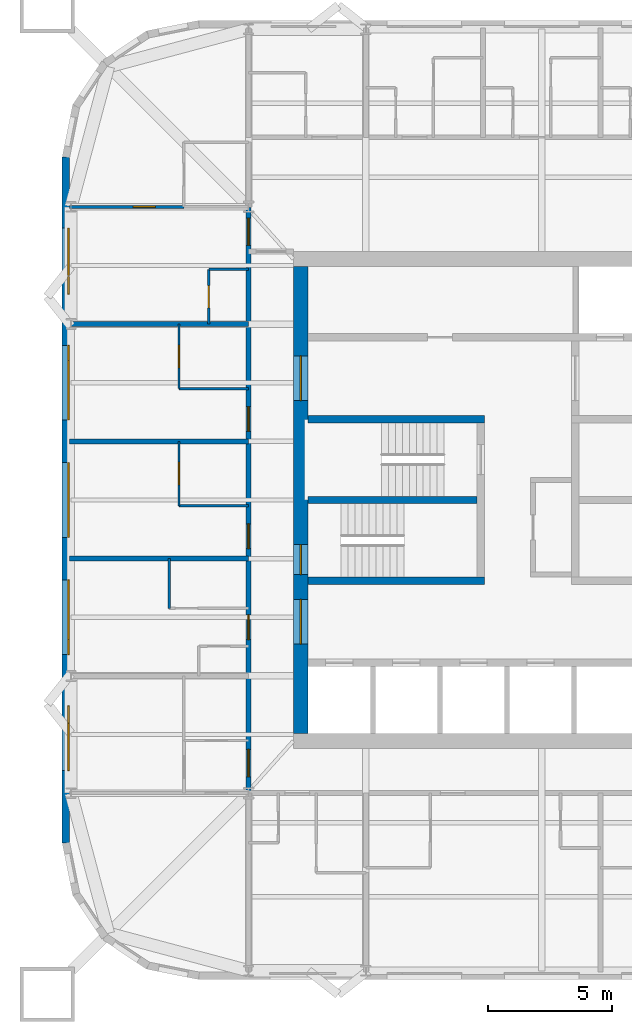
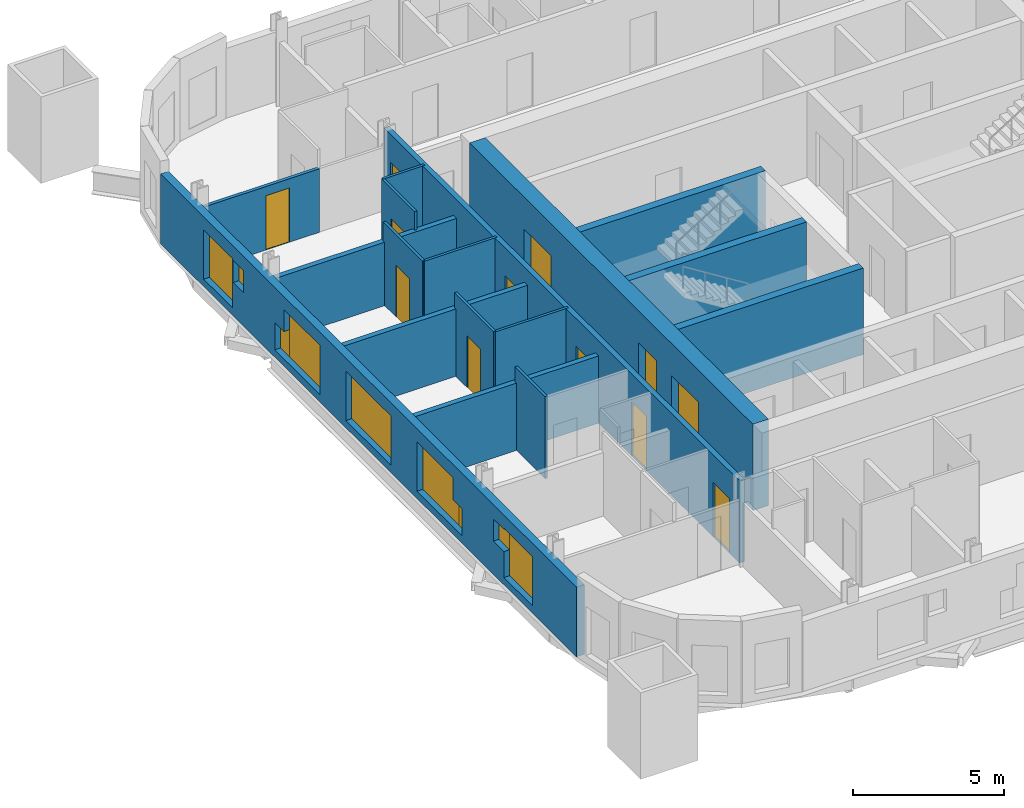
# One storey, part 4 of 10: 17 walls, 12 doors, 9 windows, 21 openings.
"""IFC4 building model written with IfcOpenShell, lengths in metres."""

from ifc_helpers import new_model, si_unit, direction, frame, frame_2d, origin, place, context, subcontext, project, spatial, rectangle, extrude, material, layer, layer_set, type_object, element, fill, save


model = new_model("IFC4")

# Units and contexts
model_context = context("Model", 3, precision=1e-05, world=origin(), true_north=direction((0.0, 1.0)))
body_context = subcontext(model_context, "Body", "Model", "MODEL_VIEW")
ifc_project = project(units=[si_unit("LENGTHUNIT", "METRE"), si_unit("AREAUNIT", "SQUARE_METRE"), si_unit("VOLUMEUNIT", "CUBIC_METRE"), si_unit("PLANEANGLEUNIT", "RADIAN"), si_unit("MASSUNIT", "GRAM", prefix="KILO")], contexts=[model_context])

# Site, building, storey
site_placement = place(None, origin())
site = spatial("IfcSite", under=ifc_project, at=site_placement, CompositionType="ELEMENT")
building_placement = place(site_placement, origin())
building = spatial("IfcBuilding", under=site, at=building_placement, Name="Turquesa Mirador Hotel Tower", CompositionType="ELEMENT")
storey_placement = place(building_placement, frame((0.0, 0.0, 179.300048828125)))
storey = spatial("IfcBuildingStorey", under=building, at=storey_placement, Name="L48", CompositionType="ELEMENT", Elevation=179.300048828125)

# Walls
ifc_material_1 = material(Name="Gypsum board on steel studs", Category="steel")
ifc_layer_1 = layer(ifc_material_1, 0.10009765625)
ifc_layer_set_1 = layer_set([ifc_layer_1], Name="BATHROOM WALL 100")
wall_type_1 = type_object("IfcWallType", Name="BATHROOM WALL 100", PredefinedType="PARTITIONING", material=ifc_layer_set_1)
for number, where, z_axis, x_axis, name in (
    (1, (40.39990234375, 44.760009765625, 0.0), (0.0, 0.0, 1.0), (1.0, 0.0, 0.0), "Partition L48 001"),
    (2, (40.39990234375, 49.47998046875, 0.0), (0.0, 0.0, 1.0), (1.0, 0.0, 0.0), "Partition L48 042"),
):
    element("IfcWall", number, at=place(storey_placement, frame(where, z_axis=z_axis, x_axis=x_axis)), inside=storey, type_object=wall_type_1, Name=name, PredefinedType="PARTITIONING", context=body_context, shape_type="SweptSolid", body=[
        extrude(rectangle(XDim=2.800048828125, YDim=0.10009765625, at=frame_2d((1.39990234375, 0.0))), origin(), (0.0, 0.0, 1.0), 3.329833984375),
    ])
wall_1_placement = place(storey_placement, frame((41.60009765625, 54.280029296875, 0.0), z_axis=(0.0, 0.0, 1.0), x_axis=(1.0, 0.0, 0.0)))
element("IfcWall", 3, at=wall_1_placement, inside=storey, type_object=wall_type_1, Name="Partition L48 046", PredefinedType="PARTITIONING", context=body_context, shape_type="SweptSolid", body=[
    extrude(rectangle(XDim=1.599853515625, YDim=0.10009765625, at=frame_2d((0.7998046875, 0.0))), origin(), (0.0, 0.0, 1.0), 3.329833984375),
])

# Wall, opening, door
wall_2_placement = place(storey_placement, frame((41.60009765625, 52.080078125, 0.0), z_axis=(0.0, 0.0, 1.0), x_axis=(0.0, 1.0, 0.0)))
wall_2 = element("IfcWall", 4, at=wall_2_placement, inside=storey, type_object=wall_type_1, Name="Partition L48 053", PredefinedType="PARTITIONING", context=body_context, shape_type="SweptSolid", body=[
    extrude(rectangle(XDim=2.199951171875, YDim=0.10009765625, at=frame_2d((1.10009765625, 0.0))), origin(), (0.0, 0.0, 1.0), 3.329833984375),
])
opening_1_placement = place(wall_2_placement, frame((0.64990234375, 0.0, 0.0)))
opening_1 = element("IfcOpeningElement", 5, at=opening_1_placement, cuts=wall_2, Name="Opening D06", PredefinedType="OPENING", context=body_context, shape_type="SweptSolid", body=[
    extrude(rectangle(XDim=0.89990234375, YDim=2.10009765625, at=frame_2d((0.449951171875, 1.050048828125))), frame((0.0, 0.06005859375, 0.0), z_axis=(0.0, -1.0, 0.0), x_axis=(1.0, 0.0, 0.0)), (0.0, 0.0, 1.0), 0.1201171875),
])
ifc_material_2 = material(Name="Laminate door", Category="wood")
door_type_1 = type_object("IfcDoorType", Name="DOOR 900X2100 WC", OperationType="SINGLE_SWING_LEFT", PredefinedType="DOOR", material=ifc_material_2)
door_1_placement = place(opening_1_placement, origin())
door_1 = element("IfcDoor", 6, at=door_1_placement, inside=storey, type_object=door_type_1, Name="Door 4816W", OperationType="SINGLE_SWING_LEFT", OverallHeight=2.10009765625, OverallWidth=0.89990234375, PredefinedType="DOOR", context=body_context, shape_type="SweptSolid", body=[
    extrude(rectangle(XDim=0.89990234375, YDim=2.10009765625, at=frame_2d((0.449951171875, 1.050048828125))), frame((0.0, 0.02490234375, 0.0), z_axis=(0.0, -1.0, 0.0), x_axis=(1.0, 0.0, 0.0)), (0.0, 0.0, 1.0), 0.050048828125),
])
fill(opening_1, door_1)

wall_3_placement = place(storey_placement, frame((40.39990234375, 44.760009765625, 0.0), z_axis=(0.0, 0.0, 1.0), x_axis=(0.0, 1.0, 0.0)))
wall_3 = element("IfcWall", 7, at=wall_3_placement, inside=storey, type_object=wall_type_1, Name="Partition L48 058", PredefinedType="PARTITIONING", context=body_context, shape_type="SweptSolid", body=[
    extrude(rectangle(XDim=2.60009765625, YDim=0.10009765625, at=frame_2d((1.300048828125, 0.0))), origin(), (0.0, 0.0, 1.0), 3.329833984375),
])
opening_2_placement = place(wall_3_placement, frame((0.85009765625, 0.0, 0.0)))
opening_2 = element("IfcOpeningElement", 8, at=opening_2_placement, cuts=wall_3, Name="Opening D02", PredefinedType="OPENING", context=body_context, shape_type="SweptSolid", body=[
    extrude(rectangle(XDim=0.89990234375, YDim=2.10009765625, at=frame_2d((0.449951171875, 1.050048828125))), frame((0.0, 0.06005859375, 0.0), z_axis=(0.0, -1.0, 0.0), x_axis=(1.0, 0.0, 0.0)), (0.0, 0.0, 1.0), 0.1201171875),
])
ifc_material_3 = material(Name="Timber veneered door", Category="wood")
door_type_2 = type_object("IfcDoorType", Name="DOOR 900X2100 EN-SUITE", OperationType="SINGLE_SWING_RIGHT", PredefinedType="DOOR", material=ifc_material_3)
door_2_placement = place(opening_2_placement, origin())
door_2 = element("IfcDoor", 9, at=door_2_placement, inside=storey, type_object=door_type_2, Name="Door 4813B", OperationType="SINGLE_SWING_RIGHT", OverallHeight=2.10009765625, OverallWidth=0.89990234375, PredefinedType="DOOR", context=body_context, shape_type="SweptSolid", body=[
    extrude(rectangle(XDim=0.89990234375, YDim=2.10009765625, at=frame_2d((0.449951171875, 1.050048828125))), frame((0.0, 0.02490234375, 0.0), z_axis=(0.0, -1.0, 0.0), x_axis=(1.0, 0.0, 0.0)), (0.0, 0.0, 1.0), 0.050048828125),
])
fill(opening_2, door_2)

wall_4_placement = place(storey_placement, frame((40.39990234375, 49.47998046875, 0.0), z_axis=(0.0, 0.0, 1.0), x_axis=(0.0, 1.0, 0.0)))
wall_4 = element("IfcWall", 10, at=wall_4_placement, inside=storey, type_object=wall_type_1, Name="Partition L48 059", PredefinedType="PARTITIONING", context=body_context, shape_type="SweptSolid", body=[
    extrude(rectangle(XDim=2.60009765625, YDim=0.10009765625, at=frame_2d((1.300048828125, 0.0))), origin(), (0.0, 0.0, 1.0), 3.329833984375),
])
opening_3_placement = place(wall_4_placement, frame((0.85009765625, 0.0, 0.0)))
opening_3 = element("IfcOpeningElement", 11, at=opening_3_placement, cuts=wall_4, Name="Opening D02", PredefinedType="OPENING", context=body_context, shape_type="SweptSolid", body=[
    extrude(rectangle(XDim=0.89990234375, YDim=2.10009765625, at=frame_2d((0.449951171875, 1.050048828125))), frame((0.0, 0.06005859375, 0.0), z_axis=(0.0, -1.0, 0.0), x_axis=(1.0, 0.0, 0.0)), (0.0, 0.0, 1.0), 0.1201171875),
])
door_3_placement = place(opening_3_placement, origin())
door_3 = element("IfcDoor", 12, at=door_3_placement, inside=storey, type_object=door_type_2, Name="Door 4814B", OperationType="SINGLE_SWING_RIGHT", OverallHeight=2.10009765625, OverallWidth=0.89990234375, PredefinedType="DOOR", context=body_context, shape_type="SweptSolid", body=[
    extrude(rectangle(XDim=0.89990234375, YDim=2.10009765625, at=frame_2d((0.449951171875, 1.050048828125))), frame((0.0, 0.02490234375, 0.0), z_axis=(0.0, -1.0, 0.0), x_axis=(1.0, 0.0, 0.0)), (0.0, 0.0, 1.0), 0.050048828125),
])
fill(opening_3, door_3)

# Walls
wall_5_placement = place(storey_placement, frame((40.0, 40.639892578125, 0.0), z_axis=(0.0, 0.0, 1.0), x_axis=(0.0, 1.0, 0.0)))
element("IfcWall", 13, at=wall_5_placement, inside=storey, type_object=wall_type_1, Name="Partition L48 060", PredefinedType="PARTITIONING", context=body_context, shape_type="SweptSolid", body=[
    extrude(rectangle(XDim=2.0, YDim=0.10009765625, at=frame_2d((1.0, 0.0))), origin(), (0.0, 0.0, 1.0), 3.329833984375),
])
ifc_material_4 = material(Name="Concrete C50/60", Category="concrete")
ifc_layer_2 = layer(ifc_material_4, 0.300048828125)
ifc_layer_set_2 = layer_set([ifc_layer_2], Name="CORE INNER WALL 300")
wall_type_2 = type_object("IfcWallType", Name="CORE INNER WALL 300", PredefinedType="SHEAR", material=ifc_layer_set_2)
for number, where, z_axis, x_axis, name in (
    (14, (45.60009765625, 48.25, 0.0), (0.0, 0.0, 1.0), (1.0, 0.0, 0.0), "Core wall MN-W"),
    (15, (45.60009765625, 41.75, 0.0), (0.0, 0.0, 1.0), (1.0, 0.0, 0.0), "Core wall MS-W"),
):
    element("IfcWall", number, at=place(storey_placement, frame(where, z_axis=z_axis, x_axis=x_axis)), inside=storey, type_object=wall_type_2, Name=name, PredefinedType="SHEAR", context=body_context, shape_type="SweptSolid", body=[
        extrude(rectangle(XDim=7.099853515625, YDim=0.300048828125, at=frame_2d((3.5498046875, 0.0))), origin(), (0.0, 0.0, 1.0), 3.5),
    ])
wall_6_placement = place(storey_placement, frame((45.60009765625, 45.0, 0.0), z_axis=(0.0, 0.0, 1.0), x_axis=(1.0, 0.0, 0.0)))
element("IfcWall", 16, at=wall_6_placement, inside=storey, type_object=wall_type_2, Name="Core wall M0-W", PredefinedType="SHEAR", context=body_context, shape_type="SweptSolid", body=[
    extrude(rectangle(XDim=6.7998046875, YDim=0.300048828125, at=frame_2d((3.39990234375, 0.0))), origin(), (0.0, 0.0, 1.0), 3.5),
])

# Wall, openings, doors
ifc_material_5 = material(Name="Concrete C50/60", Category="concrete")
ifc_layer_3 = layer(ifc_material_5, 0.60009765625)
ifc_layer_set_3 = layer_set([ifc_layer_3], Name="CORE WALL 600")
wall_type_3 = type_object("IfcWallType", Name="CORE WALL 600", PredefinedType="SHEAR", material=ifc_layer_set_3)
wall_7_placement = place(storey_placement, frame((45.300048828125, 35.60009765625, 0.0), z_axis=(0.0, 0.0, 1.0), x_axis=(0.0, 1.0, 0.0)))
wall_7 = element("IfcWall", 17, at=wall_7_placement, inside=storey, type_object=wall_type_3, Name="Core wall W", PredefinedType="SHEAR", context=body_context, shape_type="SweptSolid", body=[
    extrude(rectangle(XDim=18.7998046875, YDim=0.60009765625, at=frame_2d((9.39990234375, 0.0))), origin(), (0.0, 0.0, 1.0), 3.5),
])
opening_4_placement = place(wall_7_placement, frame((13.39990234375, 0.0, 0.0)))
opening_4 = element("IfcOpeningElement", 18, at=opening_4_placement, cuts=wall_7, Name="Opening D04", PredefinedType="OPENING", context=body_context, shape_type="SweptSolid", body=[
    extrude(rectangle(XDim=1.800048828125, YDim=2.199951171875, at=frame_2d((0.89990234375, 1.10009765625))), frame((0.0, 0.31005859375, 0.0), z_axis=(0.0, -1.0, 0.0), x_axis=(1.0, 0.0, 0.0)), (0.0, 0.0, 1.0), 0.6201171875),
])
opening_5_placement = place(wall_7_placement, frame((3.60009765625, 0.0, 0.0)))
opening_5 = element("IfcOpeningElement", 19, at=opening_5_placement, cuts=wall_7, Name="Opening D04", PredefinedType="OPENING", context=body_context, shape_type="SweptSolid", body=[
    extrude(rectangle(XDim=1.800048828125, YDim=2.199951171875, at=frame_2d((0.89990234375, 1.10009765625))), frame((0.0, 0.31005859375, 0.0), z_axis=(0.0, -1.0, 0.0), x_axis=(1.0, 0.0, 0.0)), (0.0, 0.0, 1.0), 0.6201171875),
])
opening_6_placement = place(wall_7_placement, frame((6.39990234375, 0.0, 0.0)))
opening_6 = element("IfcOpeningElement", 20, at=opening_6_placement, cuts=wall_7, Name="Opening D03", PredefinedType="OPENING", context=body_context, shape_type="SweptSolid", body=[
    extrude(rectangle(XDim=1.199951171875, YDim=2.199951171875, at=frame_2d((0.60009765625, 1.10009765625))), frame((0.0, 0.31005859375, 0.0), z_axis=(0.0, -1.0, 0.0), x_axis=(1.0, 0.0, 0.0)), (0.0, 0.0, 1.0), 0.6201171875),
])
ifc_material_6 = material(Name="Steel fire door", Category="steel")
door_type_3 = type_object("IfcDoorType", Name="DOOR 1200X2200 STAIR", OperationType="SINGLE_SWING_LEFT", PredefinedType="DOOR", material=ifc_material_6)
door_4_placement = place(opening_6_placement, origin())
door_4 = element("IfcDoor", 21, at=door_4_placement, inside=storey, type_object=door_type_3, Name="Stair ST2 door", OperationType="SINGLE_SWING_LEFT", OverallHeight=2.199951171875, OverallWidth=1.199951171875, PredefinedType="DOOR", context=body_context, shape_type="SweptSolid", body=[
    extrude(rectangle(XDim=1.199951171875, YDim=2.199951171875, at=frame_2d((0.60009765625, 1.10009765625))), frame((0.0, 0.02490234375, 0.0), z_axis=(0.0, -1.0, 0.0), x_axis=(1.0, 0.0, 0.0)), (0.0, 0.0, 1.0), 0.050048828125),
])
fill(opening_6, door_4)
ifc_material_7 = material(Name="Steel fire door pair", Category="steel")
door_type_4 = type_object("IfcDoorType", Name="DOOR 1800X2200 PAIR", OperationType="DOUBLE_DOOR_SINGLE_SWING", PredefinedType="DOOR", material=ifc_material_7)
door_5_placement = place(opening_4_placement, origin())
door_5 = element("IfcDoor", 22, at=door_5_placement, inside=storey, type_object=door_type_4, Name="North lift lobby door", OperationType="DOUBLE_DOOR_SINGLE_SWING", OverallHeight=2.199951171875, OverallWidth=1.800048828125, PredefinedType="DOOR", context=body_context, shape_type="SweptSolid", body=[
    extrude(rectangle(XDim=1.800048828125, YDim=2.199951171875, at=frame_2d((0.89990234375, 1.10009765625))), frame((0.0, 0.02490234375, 0.0), z_axis=(0.0, -1.0, 0.0), x_axis=(1.0, 0.0, 0.0)), (0.0, 0.0, 1.0), 0.050048828125),
])
fill(opening_4, door_5)
door_6_placement = place(opening_5_placement, origin())
door_6 = element("IfcDoor", 23, at=door_6_placement, inside=storey, type_object=door_type_4, Name="South lift lobby door", OperationType="DOUBLE_DOOR_SINGLE_SWING", OverallHeight=2.199951171875, OverallWidth=1.800048828125, PredefinedType="DOOR", context=body_context, shape_type="SweptSolid", body=[
    extrude(rectangle(XDim=1.800048828125, YDim=2.199951171875, at=frame_2d((0.89990234375, 1.10009765625))), frame((0.0, 0.02490234375, 0.0), z_axis=(0.0, -1.0, 0.0), x_axis=(1.0, 0.0, 0.0)), (0.0, 0.0, 1.0), 0.050048828125),
])
fill(opening_5, door_6)

ifc_material_8 = material(Name="Fire-rated gypsum board on steel studs", Category="steel")
ifc_layer_4 = layer(ifc_material_8, 0.199951171875)
ifc_layer_set_4 = layer_set([ifc_layer_4], Name="CORRIDOR WALL 200")
wall_type_4 = type_object("IfcWallType", Name="CORRIDOR WALL 200", PredefinedType="PARTITIONING", material=ifc_layer_set_4)
wall_8_placement = place(storey_placement, frame((43.199951171875, 33.199951171875, 0.0), z_axis=(0.0, 0.0, 1.0), x_axis=(0.0, 1.0, 0.0)))
wall_8 = element("IfcWall", 24, at=wall_8_placement, inside=storey, type_object=wall_type_4, Name="Partition L48 050", PredefinedType="PARTITIONING", context=body_context, shape_type="SweptSolid", body=[
    extrude(rectangle(XDim=23.580078125, YDim=0.199951171875, at=frame_2d((11.7900390625, 0.0))), origin(), (0.0, 0.0, 1.0), 3.329833984375),
])
opening_7_placement = place(wall_8_placement, frame((6.179931640625, 0.0, 0.0)))
opening_7 = element("IfcOpeningElement", 25, at=opening_7_placement, cuts=wall_8, Name="Opening D01", PredefinedType="OPENING", context=body_context, shape_type="SweptSolid", body=[
    extrude(rectangle(XDim=1.0, YDim=2.199951171875, at=frame_2d((0.5, 1.10009765625))), frame((0.0, 0.10986328125, 0.0), z_axis=(0.0, -1.0, 0.0), x_axis=(1.0, 0.0, 0.0)), (0.0, 0.0, 1.0), 0.219970703125),
])
opening_8_placement = place(wall_8_placement, frame((9.840087890625, 0.0, 0.0)))
opening_8 = element("IfcOpeningElement", 26, at=opening_8_placement, cuts=wall_8, Name="Opening D01", PredefinedType="OPENING", context=body_context, shape_type="SweptSolid", body=[
    extrude(rectangle(XDim=1.0, YDim=2.199951171875, at=frame_2d((0.5, 1.10009765625))), frame((0.0, 0.10986328125, 0.0), z_axis=(0.0, -1.0, 0.0), x_axis=(1.0, 0.0, 0.0)), (0.0, 0.0, 1.0), 0.219970703125),
])
opening_9_placement = place(wall_8_placement, frame((14.56005859375, 0.0, 0.0)))
opening_9 = element("IfcOpeningElement", 27, at=opening_9_placement, cuts=wall_8, Name="Opening D01", PredefinedType="OPENING", context=body_context, shape_type="SweptSolid", body=[
    extrude(rectangle(XDim=1.0, YDim=2.199951171875, at=frame_2d((0.5, 1.10009765625))), frame((0.0, 0.10986328125, 0.0), z_axis=(0.0, -1.0, 0.0), x_axis=(1.0, 0.0, 0.0)), (0.0, 0.0, 1.0), 0.219970703125),
])
opening_10_placement = place(wall_8_placement, frame((22.050048828125, 0.0, 0.0)))
opening_10 = element("IfcOpeningElement", 28, at=opening_10_placement, cuts=wall_8, Name="Opening D15", PredefinedType="OPENING", context=body_context, shape_type="SweptSolid", body=[
    extrude(rectangle(XDim=1.10009765625, YDim=2.199951171875, at=frame_2d((0.550048828125, 1.10009765625))), frame((0.0, 0.10986328125, 0.0), z_axis=(0.0, -1.0, 0.0), x_axis=(1.0, 0.0, 0.0)), (0.0, 0.0, 1.0), 0.219970703125),
])
opening_11_placement = place(wall_8_placement, frame((0.659912109375, 0.0, 0.0)))
opening_11 = element("IfcOpeningElement", 29, at=opening_11_placement, cuts=wall_8, Name="Opening D15", PredefinedType="OPENING", context=body_context, shape_type="SweptSolid", body=[
    extrude(rectangle(XDim=1.10009765625, YDim=2.199951171875, at=frame_2d((0.550048828125, 1.10009765625))), frame((0.0, 0.10986328125, 0.0), z_axis=(0.0, -1.0, 0.0), x_axis=(1.0, 0.0, 0.0)), (0.0, 0.0, 1.0), 0.219970703125),
])
ifc_material_9 = material(Name="Timber veneered fire door", Category="wood")
door_type_5 = type_object("IfcDoorType", Name="DOOR 1000X2200 GUEST ENTRY", OperationType="SINGLE_SWING_LEFT", PredefinedType="DOOR", material=ifc_material_9)
door_7_placement = place(opening_7_placement, origin())
door_7 = element("IfcDoor", 30, at=door_7_placement, inside=storey, type_object=door_type_5, Name="Door 4812", OperationType="SINGLE_SWING_LEFT", OverallHeight=2.199951171875, OverallWidth=1.0, PredefinedType="DOOR", context=body_context, shape_type="SweptSolid", body=[
    extrude(rectangle(XDim=1.0, YDim=2.199951171875, at=frame_2d((0.5, 1.10009765625))), frame((0.0, 0.02490234375, 0.0), z_axis=(0.0, -1.0, 0.0), x_axis=(1.0, 0.0, 0.0)), (0.0, 0.0, 1.0), 0.050048828125),
])
fill(opening_7, door_7)
door_8_placement = place(opening_8_placement, origin())
door_8 = element("IfcDoor", 31, at=door_8_placement, inside=storey, type_object=door_type_5, Name="Door 4813", OperationType="SINGLE_SWING_LEFT", OverallHeight=2.199951171875, OverallWidth=1.0, PredefinedType="DOOR", context=body_context, shape_type="SweptSolid", body=[
    extrude(rectangle(XDim=1.0, YDim=2.199951171875, at=frame_2d((0.5, 1.10009765625))), frame((0.0, 0.02490234375, 0.0), z_axis=(0.0, -1.0, 0.0), x_axis=(1.0, 0.0, 0.0)), (0.0, 0.0, 1.0), 0.050048828125),
])
fill(opening_8, door_8)
door_9_placement = place(opening_9_placement, origin())
door_9 = element("IfcDoor", 32, at=door_9_placement, inside=storey, type_object=door_type_5, Name="Door 4814", OperationType="SINGLE_SWING_LEFT", OverallHeight=2.199951171875, OverallWidth=1.0, PredefinedType="DOOR", context=body_context, shape_type="SweptSolid", body=[
    extrude(rectangle(XDim=1.0, YDim=2.199951171875, at=frame_2d((0.5, 1.10009765625))), frame((0.0, 0.02490234375, 0.0), z_axis=(0.0, -1.0, 0.0), x_axis=(1.0, 0.0, 0.0)), (0.0, 0.0, 1.0), 0.050048828125),
])
fill(opening_9, door_9)
ifc_material_10 = material(Name="Timber veneered fire door", Category="wood")
door_type_6 = type_object("IfcDoorType", Name="DOOR 1100X2200 SUITE ENTRY", OperationType="SINGLE_SWING_LEFT", PredefinedType="DOOR", material=ifc_material_10)
door_10_placement = place(opening_10_placement, origin())
door_10 = element("IfcDoor", 33, at=door_10_placement, inside=storey, type_object=door_type_6, Name="Door 4816", OperationType="SINGLE_SWING_LEFT", OverallHeight=2.199951171875, OverallWidth=1.10009765625, PredefinedType="DOOR", context=body_context, shape_type="SweptSolid", body=[
    extrude(rectangle(XDim=1.10009765625, YDim=2.199951171875, at=frame_2d((0.550048828125, 1.10009765625))), frame((0.0, 0.02490234375, 0.0), z_axis=(0.0, -1.0, 0.0), x_axis=(1.0, 0.0, 0.0)), (0.0, 0.0, 1.0), 0.050048828125),
])
fill(opening_10, door_10)
door_11_placement = place(opening_11_placement, origin())
door_11 = element("IfcDoor", 34, at=door_11_placement, inside=storey, type_object=door_type_6, Name="Door 4817H", OperationType="SINGLE_SWING_LEFT", OverallHeight=2.199951171875, OverallWidth=1.10009765625, PredefinedType="DOOR", context=body_context, shape_type="SweptSolid", body=[
    extrude(rectangle(XDim=1.10009765625, YDim=2.199951171875, at=frame_2d((0.550048828125, 1.10009765625))), frame((0.0, 0.02490234375, 0.0), z_axis=(0.0, -1.0, 0.0), x_axis=(1.0, 0.0, 0.0)), (0.0, 0.0, 1.0), 0.050048828125),
])
fill(opening_11, door_11)

# Wall, openings, windows
ifc_material_11 = material(Name="Limestone cladding on concrete block", Category="masonry")
ifc_layer_5 = layer(ifc_material_11, 0.300048828125)
ifc_layer_set_5 = layer_set([ifc_layer_5], Name="FACADE WALL 300 STONE SCREEN")
wall_type_5 = type_object("IfcWallType", Name="FACADE WALL 300 STONE SCREEN", PredefinedType="SOLIDWALL", material=ifc_layer_set_5)
wall_9_placement = place(storey_placement, frame((35.85009765625, 58.800048828125, 0.0), z_axis=(0.0, 0.0, 1.0), x_axis=(0.0, -1.0, 0.0)))
wall_9 = element("IfcWall", 35, at=wall_9_placement, inside=storey, type_object=wall_type_5, Name="Facade wall L48 14", PredefinedType="SOLIDWALL", context=body_context, shape_type="SweptSolid", body=[
    extrude(rectangle(XDim=27.60009765625, YDim=0.300048828125, at=frame_2d((13.800048828125, 0.0))), origin(), (0.0, 0.0, 1.0), 2.829833984375),
])
opening_12_placement = place(wall_9_placement, frame((2.860107421875, 0.0, 0.300048828125)))
opening_12 = element("IfcOpeningElement", 36, at=opening_12_placement, cuts=wall_9, Name="Opening WN49", PredefinedType="OPENING", context=body_context, shape_type="SweptSolid", body=[
    extrude(rectangle(XDim=1.89990234375, YDim=2.0, at=frame_2d((0.949951171875, 1.0))), frame((0.0, 0.159912109375, 0.0), z_axis=(0.0, -1.0, 0.0), x_axis=(1.0, 0.0, 0.0)), (0.0, 0.0, 1.0), 0.320068359375),
])
opening_13_placement = place(wall_9_placement, frame((8.179931640625, 0.0, 0.300048828125)))
opening_13 = element("IfcOpeningElement", 37, at=opening_13_placement, cuts=wall_9, Name="Opening WN2", PredefinedType="OPENING", context=body_context, shape_type="SweptSolid", body=[
    extrude(rectangle(XDim=2.39990234375, YDim=2.0, at=frame_2d((1.199951171875, 1.0))), frame((0.0, 0.159912109375, 0.0), z_axis=(0.0, -1.0, 0.0), x_axis=(1.0, 0.0, 0.0)), (0.0, 0.0, 1.0), 0.320068359375),
])
opening_14_placement = place(wall_9_placement, frame((12.300048828125, 0.0, 0.300048828125)))
opening_14 = element("IfcOpeningElement", 38, at=opening_14_placement, cuts=wall_9, Name="Opening WN1", PredefinedType="OPENING", context=body_context, shape_type="SweptSolid", body=[
    extrude(rectangle(XDim=3.0, YDim=2.0, at=frame_2d((1.5, 1.0))), frame((0.0, 0.159912109375, 0.0), z_axis=(0.0, -1.0, 0.0), x_axis=(1.0, 0.0, 0.0)), (0.0, 0.0, 1.0), 0.320068359375),
])
opening_15_placement = place(wall_9_placement, frame((17.02001953125, 0.0, 0.300048828125)))
opening_15 = element("IfcOpeningElement", 39, at=opening_15_placement, cuts=wall_9, Name="Opening WN2", PredefinedType="OPENING", context=body_context, shape_type="SweptSolid", body=[
    extrude(rectangle(XDim=2.39990234375, YDim=2.0, at=frame_2d((1.199951171875, 1.0))), frame((0.0, 0.159912109375, 0.0), z_axis=(0.0, -1.0, 0.0), x_axis=(1.0, 0.0, 0.0)), (0.0, 0.0, 1.0), 0.320068359375),
])
opening_16_placement = place(wall_9_placement, frame((22.7900390625, 0.0, 0.300048828125)))
opening_16 = element("IfcOpeningElement", 40, at=opening_16_placement, cuts=wall_9, Name="Opening WN49", PredefinedType="OPENING", context=body_context, shape_type="SweptSolid", body=[
    extrude(rectangle(XDim=1.89990234375, YDim=2.0, at=frame_2d((0.949951171875, 1.0))), frame((0.0, 0.159912109375, 0.0), z_axis=(0.0, -1.0, 0.0), x_axis=(1.0, 0.0, 0.0)), (0.0, 0.0, 1.0), 0.320068359375),
])
opening_17_placement = place(wall_9_placement, frame((4.81005859375, 0.0, 1.35009765625)))
opening_17 = element("IfcOpeningElement", 41, at=opening_17_placement, cuts=wall_9, Name="Opening WN31", PredefinedType="OPENING", context=body_context, shape_type="SweptSolid", body=[
    extrude(rectangle(XDim=0.699951171875, YDim=0.89990234375, at=frame_2d((0.35009765625, 0.449951171875))), frame((0.0, 0.159912109375, 0.0), z_axis=(0.0, -1.0, 0.0), x_axis=(1.0, 0.0, 0.0)), (0.0, 0.0, 1.0), 0.320068359375),
])
opening_18_placement = place(wall_9_placement, frame((7.580078125, 0.0, 0.300048828125)))
opening_18 = element("IfcOpeningElement", 42, at=opening_18_placement, cuts=wall_9, Name="Opening WN30", PredefinedType="OPENING", context=body_context, shape_type="SweptSolid", body=[
    extrude(rectangle(XDim=0.60009765625, YDim=1.10009765625, at=frame_2d((0.300048828125, 0.550048828125))), frame((0.0, 0.159912109375, 0.0), z_axis=(0.0, -1.0, 0.0), x_axis=(1.0, 0.0, 0.0)), (0.0, 0.0, 1.0), 0.320068359375),
])
opening_19_placement = place(wall_9_placement, frame((19.419921875, 0.0, 0.300048828125)))
opening_19 = element("IfcOpeningElement", 43, at=opening_19_placement, cuts=wall_9, Name="Opening WN30", PredefinedType="OPENING", context=body_context, shape_type="SweptSolid", body=[
    extrude(rectangle(XDim=0.60009765625, YDim=1.10009765625, at=frame_2d((0.300048828125, 0.550048828125))), frame((0.0, 0.159912109375, 0.0), z_axis=(0.0, -1.0, 0.0), x_axis=(1.0, 0.0, 0.0)), (0.0, 0.0, 1.0), 0.320068359375),
])
opening_20_placement = place(wall_9_placement, frame((22.090087890625, 0.0, 1.35009765625)))
opening_20 = element("IfcOpeningElement", 44, at=opening_20_placement, cuts=wall_9, Name="Opening WN31", PredefinedType="OPENING", context=body_context, shape_type="SweptSolid", body=[
    extrude(rectangle(XDim=0.699951171875, YDim=0.89990234375, at=frame_2d((0.35009765625, 0.449951171875))), frame((0.0, 0.159912109375, 0.0), z_axis=(0.0, -1.0, 0.0), x_axis=(1.0, 0.0, 0.0)), (0.0, 0.0, 1.0), 0.320068359375),
])
ifc_material_12 = material(Name="Ceramic-fritted laminated glass", Category="glass")
window_type_1 = type_object("IfcWindowType", Name="FRITTED WINDOW 1900X2000", PartitioningType="DOUBLE_PANEL_HORIZONTAL", PredefinedType="WINDOW", material=ifc_material_12)
window_1_placement = place(opening_12_placement, origin())
window_1 = element("IfcWindow", 45, at=window_1_placement, inside=storey, type_object=window_type_1, Name="Window L48", OverallHeight=2.0, OverallWidth=1.89990234375, PartitioningType="SINGLE_PANEL", PredefinedType="WINDOW", context=body_context, shape_type="SweptSolid", body=[
    extrude(rectangle(XDim=1.89990234375, YDim=2.0, at=frame_2d((0.949951171875, 1.0))), frame((0.0, 0.130126953125, 0.0), z_axis=(0.0, -1.0, 0.0), x_axis=(1.0, 0.0, 0.0)), (0.0, 0.0, 1.0), 0.06005859375),
])
fill(opening_12, window_1)
window_2_placement = place(opening_16_placement, origin())
window_2 = element("IfcWindow", 46, at=window_2_placement, inside=storey, type_object=window_type_1, Name="Window L48", OverallHeight=2.0, OverallWidth=1.89990234375, PartitioningType="SINGLE_PANEL", PredefinedType="WINDOW", context=body_context, shape_type="SweptSolid", body=[
    extrude(rectangle(XDim=1.89990234375, YDim=2.0, at=frame_2d((0.949951171875, 1.0))), frame((0.0, 0.130126953125, 0.0), z_axis=(0.0, -1.0, 0.0), x_axis=(1.0, 0.0, 0.0)), (0.0, 0.0, 1.0), 0.06005859375),
])
fill(opening_16, window_2)
ifc_material_13 = material(Name="Ceramic-fritted laminated glass", Category="glass")
window_type_2 = type_object("IfcWindowType", Name="FRITTED WINDOW 2400X2000", PartitioningType="DOUBLE_PANEL_HORIZONTAL", PredefinedType="WINDOW", material=ifc_material_13)
window_3_placement = place(opening_13_placement, origin())
window_3 = element("IfcWindow", 47, at=window_3_placement, inside=storey, type_object=window_type_2, Name="Window L48", OverallHeight=2.0, OverallWidth=2.39990234375, PartitioningType="SINGLE_PANEL", PredefinedType="WINDOW", context=body_context, shape_type="SweptSolid", body=[
    extrude(rectangle(XDim=2.39990234375, YDim=2.0, at=frame_2d((1.199951171875, 1.0))), frame((0.0, 0.130126953125, 0.0), z_axis=(0.0, -1.0, 0.0), x_axis=(1.0, 0.0, 0.0)), (0.0, 0.0, 1.0), 0.06005859375),
])
fill(opening_13, window_3)
window_4_placement = place(opening_15_placement, origin())
window_4 = element("IfcWindow", 48, at=window_4_placement, inside=storey, type_object=window_type_2, Name="Window L48", OverallHeight=2.0, OverallWidth=2.39990234375, PartitioningType="SINGLE_PANEL", PredefinedType="WINDOW", context=body_context, shape_type="SweptSolid", body=[
    extrude(rectangle(XDim=2.39990234375, YDim=2.0, at=frame_2d((1.199951171875, 1.0))), frame((0.0, 0.130126953125, 0.0), z_axis=(0.0, -1.0, 0.0), x_axis=(1.0, 0.0, 0.0)), (0.0, 0.0, 1.0), 0.06005859375),
])
fill(opening_15, window_4)
ifc_material_14 = material(Name="Ceramic-fritted laminated glass", Category="glass")
window_type_3 = type_object("IfcWindowType", Name="FRITTED WINDOW 3000X2000", PartitioningType="DOUBLE_PANEL_HORIZONTAL", PredefinedType="WINDOW", material=ifc_material_14)
window_5_placement = place(opening_14_placement, origin())
window_5 = element("IfcWindow", 49, at=window_5_placement, inside=storey, type_object=window_type_3, Name="Window L48", OverallHeight=2.0, OverallWidth=3.0, PartitioningType="SINGLE_PANEL", PredefinedType="WINDOW", context=body_context, shape_type="SweptSolid", body=[
    extrude(rectangle(XDim=3.0, YDim=2.0, at=frame_2d((1.5, 1.0))), frame((0.0, 0.130126953125, 0.0), z_axis=(0.0, -1.0, 0.0), x_axis=(1.0, 0.0, 0.0)), (0.0, 0.0, 1.0), 0.06005859375),
])
fill(opening_14, window_5)
ifc_material_15 = material(Name="Ceramic-fritted laminated glass", Category="glass")
window_type_4 = type_object("IfcWindowType", Name="FRITTED WINDOW 600X1100", PartitioningType="DOUBLE_PANEL_HORIZONTAL", PredefinedType="WINDOW", material=ifc_material_15)
window_6_placement = place(opening_18_placement, origin())
window_6 = element("IfcWindow", 50, at=window_6_placement, inside=storey, type_object=window_type_4, Name="Window L48", OverallHeight=1.10009765625, OverallWidth=0.60009765625, PartitioningType="SINGLE_PANEL", PredefinedType="WINDOW", context=body_context, shape_type="SweptSolid", body=[
    extrude(rectangle(XDim=0.60009765625, YDim=1.10009765625, at=frame_2d((0.300048828125, 0.550048828125))), frame((0.0, 0.130126953125, 0.0), z_axis=(0.0, -1.0, 0.0), x_axis=(1.0, 0.0, 0.0)), (0.0, 0.0, 1.0), 0.06005859375),
])
fill(opening_18, window_6)
window_7_placement = place(opening_19_placement, origin())
window_7 = element("IfcWindow", 51, at=window_7_placement, inside=storey, type_object=window_type_4, Name="Window L48", OverallHeight=1.10009765625, OverallWidth=0.60009765625, PartitioningType="SINGLE_PANEL", PredefinedType="WINDOW", context=body_context, shape_type="SweptSolid", body=[
    extrude(rectangle(XDim=0.60009765625, YDim=1.10009765625, at=frame_2d((0.300048828125, 0.550048828125))), frame((0.0, 0.130126953125, 0.0), z_axis=(0.0, -1.0, 0.0), x_axis=(1.0, 0.0, 0.0)), (0.0, 0.0, 1.0), 0.06005859375),
])
fill(opening_19, window_7)
ifc_material_16 = material(Name="Ceramic-fritted laminated glass", Category="glass")
window_type_5 = type_object("IfcWindowType", Name="FRITTED WINDOW 700X900", PartitioningType="DOUBLE_PANEL_HORIZONTAL", PredefinedType="WINDOW", material=ifc_material_16)
window_8_placement = place(opening_17_placement, origin())
window_8 = element("IfcWindow", 52, at=window_8_placement, inside=storey, type_object=window_type_5, Name="Window L48", OverallHeight=0.89990234375, OverallWidth=0.699951171875, PartitioningType="SINGLE_PANEL", PredefinedType="WINDOW", context=body_context, shape_type="SweptSolid", body=[
    extrude(rectangle(XDim=0.699951171875, YDim=0.89990234375, at=frame_2d((0.35009765625, 0.449951171875))), frame((0.0, 0.130126953125, 0.0), z_axis=(0.0, -1.0, 0.0), x_axis=(1.0, 0.0, 0.0)), (0.0, 0.0, 1.0), 0.06005859375),
])
fill(opening_17, window_8)
window_9_placement = place(opening_20_placement, origin())
window_9 = element("IfcWindow", 53, at=window_9_placement, inside=storey, type_object=window_type_5, Name="Window L48", OverallHeight=0.89990234375, OverallWidth=0.699951171875, PartitioningType="SINGLE_PANEL", PredefinedType="WINDOW", context=body_context, shape_type="SweptSolid", body=[
    extrude(rectangle(XDim=0.699951171875, YDim=0.89990234375, at=frame_2d((0.35009765625, 0.449951171875))), frame((0.0, 0.130126953125, 0.0), z_axis=(0.0, -1.0, 0.0), x_axis=(1.0, 0.0, 0.0)), (0.0, 0.0, 1.0), 0.06005859375),
])
fill(opening_20, window_9)

# Walls
ifc_material_17 = material(Name="Fire-rated gypsum board on steel studs", Category="steel")
ifc_layer_6 = layer(ifc_material_17, 0.199951171875)
ifc_layer_set_6 = layer_set([ifc_layer_6], Name="PARTY WALL 200")
wall_type_6 = type_object("IfcWallType", Name="PARTY WALL 200", PredefinedType="PARTITIONING", material=ifc_layer_set_6)
for number, where, z_axis, x_axis, name in (
    (54, (36.0, 42.639892578125, 0.0), (0.0, 0.0, 1.0), (1.0, 0.0, 0.0), "Partition L48 014"),
    (55, (36.0, 47.360107421875, 0.0), (0.0, 0.0, 1.0), (1.0, 0.0, 0.0), "Partition L48 039"),
):
    element("IfcWall", number, at=place(storey_placement, frame(where, z_axis=z_axis, x_axis=x_axis)), inside=storey, type_object=wall_type_6, Name=name, PredefinedType="PARTITIONING", context=body_context, shape_type="SweptSolid", body=[
        extrude(rectangle(XDim=7.199951171875, YDim=0.199951171875, at=frame_2d((3.60009765625, 0.0))), origin(), (0.0, 0.0, 1.0), 2.73046875),
    ])
wall_10_placement = place(storey_placement, frame((36.0, 52.080078125, 0.0), z_axis=(0.0, 0.0, 1.0), x_axis=(1.0, 0.0, 0.0)))
element("IfcWall", 56, at=wall_10_placement, inside=storey, type_object=wall_type_6, Name="Partition L48 044", PredefinedType="PARTITIONING", context=body_context, shape_type="SweptSolid", body=[
    extrude(rectangle(XDim=7.199951171875, YDim=0.199951171875, at=frame_2d((3.60009765625, 0.0))), origin(), (0.0, 0.0, 1.0), 2.572998046875),
])

# Wall, opening, door
ifc_material_18 = material(Name="Acoustic gypsum board on steel studs", Category="steel")
ifc_layer_7 = layer(ifc_material_18, 0.125)
ifc_layer_set_7 = layer_set([ifc_layer_7], Name="SUITE PARTITION 125")
wall_type_7 = type_object("IfcWallType", Name="SUITE PARTITION 125", PredefinedType="PARTITIONING", material=ifc_layer_set_7)
wall_11_placement = place(storey_placement, frame((36.0, 56.800048828125, 0.0), z_axis=(0.0, 0.0, 1.0), x_axis=(1.0, 0.0, 0.0)))
wall_11 = element("IfcWall", 57, at=wall_11_placement, inside=storey, type_object=wall_type_7, Name="Partition L48 027", PredefinedType="PARTITIONING", context=body_context, shape_type="SweptSolid", body=[
    extrude(rectangle(XDim=4.60009765625, YDim=0.125, at=frame_2d((2.300048828125, 0.0))), origin(), (0.0, 0.0, 1.0), 2.572998046875),
])
opening_21_placement = place(wall_11_placement, frame((2.550048828125, 0.0, 0.0)))
opening_21 = element("IfcOpeningElement", 58, at=opening_21_placement, cuts=wall_11, Name="Opening D17", PredefinedType="OPENING", context=body_context, shape_type="SweptSolid", body=[
    extrude(rectangle(XDim=0.89990234375, YDim=2.199951171875, at=frame_2d((0.449951171875, 1.10009765625))), frame((0.0, 0.072509765625, 0.0), z_axis=(0.0, -1.0, 0.0), x_axis=(1.0, 0.0, 0.0)), (0.0, 0.0, 1.0), 0.14501953125),
])
ifc_material_19 = material(Name="Timber veneered door", Category="wood")
door_type_7 = type_object("IfcDoorType", Name="DOOR 900X2200 SUITE INTERNAL", OperationType="SINGLE_SWING_LEFT", PredefinedType="DOOR", material=ifc_material_19)
door_12_placement = place(opening_21_placement, origin())
door_12 = element("IfcDoor", 59, at=door_12_placement, inside=storey, type_object=door_type_7, Name="Door 4816R", OperationType="SINGLE_SWING_LEFT", OverallHeight=2.199951171875, OverallWidth=0.89990234375, PredefinedType="DOOR", context=body_context, shape_type="SweptSolid", body=[
    extrude(rectangle(XDim=0.89990234375, YDim=2.199951171875, at=frame_2d((0.449951171875, 1.10009765625))), frame((0.0, 0.02490234375, 0.0), z_axis=(0.0, -1.0, 0.0), x_axis=(1.0, 0.0, 0.0)), (0.0, 0.0, 1.0), 0.050048828125),
])
fill(opening_21, door_12)

save(model, "model.ifc")
